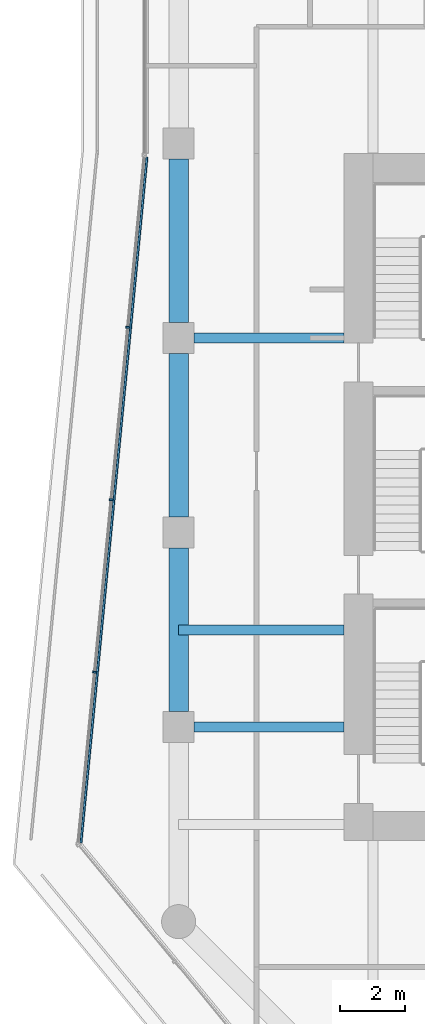
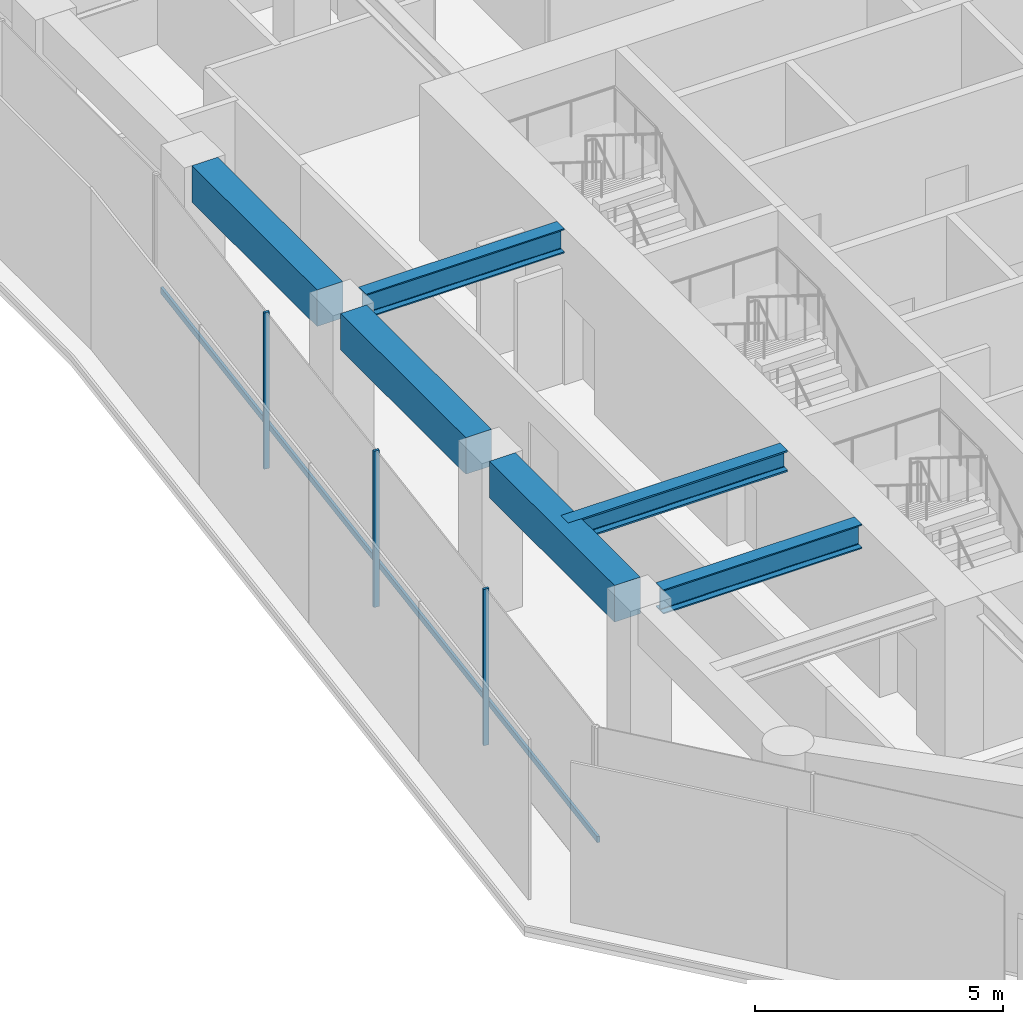
# One storey, part 4 of 31: 6 beams, 4 members, 1 element without a shape of its own.
"""IFC4 building model written with IfcOpenShell, lengths in metres."""

from ifc_helpers import new_model, si_unit, direction, frame, origin, origin_2d, place, context, subcontext, project, spatial, rectangle, i_section, extrude, material, layer, layer_set, material_profile, profile_set, type_object, element, aggregate, save


model = new_model("IFC4")

# Units and contexts
model_context = context("Model", 3, precision=1e-05, world=origin(), true_north=direction((0.0, 1.0)))
body_context = subcontext(model_context, "Body", "Model", "MODEL_VIEW")
ifc_project = project(units=[si_unit("LENGTHUNIT", "METRE"), si_unit("AREAUNIT", "SQUARE_METRE"), si_unit("VOLUMEUNIT", "CUBIC_METRE"), si_unit("PLANEANGLEUNIT", "RADIAN"), si_unit("MASSUNIT", "GRAM", prefix="KILO")], contexts=[model_context])

# Site, building, storey
site_placement = place(None, origin())
site = spatial("IfcSite", under=ifc_project, at=site_placement, CompositionType="ELEMENT")
building_placement = place(site_placement, origin())
building = spatial("IfcBuilding", under=site, at=building_placement, Name="Welwitschia Terrace Campus", CompositionType="ELEMENT")
storey_placement = place(building_placement, frame((0.0, 0.0, 29.0)))
storey = spatial("IfcBuildingStorey", under=building, at=storey_placement, Name="L06", CompositionType="ELEMENT", Elevation=29.0)

# Beam
ifc_material_1 = material(Name="Steel S355", Category="steel")
ifc_material_profile_1 = material_profile(ifc_material_1, i_section(OverallWidth=0.305908203125, OverallDepth=0.52392578125, WebThickness=0.02099609375, FlangeThickness=0.0400390625, FilletRadius=0.027099609375, at=origin_2d()))
ifc_profile_set_1 = profile_set([ifc_material_profile_1], Name="Steel S355")
beam_type_1 = type_object("IfcBeamType", Name="Interior girder HE 500 M", PredefinedType="BEAM", material=ifc_profile_set_1)
beam_placement = place(storey_placement, frame((-0.010009765625, 11.0, 3.587890625), z_axis=(1.0, 0.0, 0.0), x_axis=(0.0, 1.0, 0.0)))
element("IfcBeam", 1, at=beam_placement, inside=storey, type_object=beam_type_1, Name="Girder GB2", PredefinedType="BEAM", context=body_context, shape_type="SweptSolid", body=[
    extrude(i_section(OverallWidth=0.305908203125, OverallDepth=0.52392578125, WebThickness=0.02099609375, FlangeThickness=0.0400390625, FilletRadius=0.027099609375, at=origin_2d()), origin(), (0.0, 0.0, 1.0), 5.109130859375),
])

# Curtain wall, members
ifc_material_2 = material(Name="Bronze anodised aluminium", Category="aluminium")
ifc_layer = layer(ifc_material_2, 0.1201171875)
ifc_layer_set = layer_set([ifc_layer], Name="Bronze anodised aluminium")
curtain_wall_type = type_object("IfcCurtainWallType", Name="Curtain wall CW2 tower 6000", PredefinedType="NOTDEFINED", material=ifc_layer_set)
curtain_wall_placement = place(storey_placement, origin())
curtain_wall = element("IfcCurtainWall", 2, at=curtain_wall_placement, inside=storey, type_object=curtain_wall_type, Name="CW L06.0.0", PredefinedType="NOTDEFINED")
ifc_material_3 = material(Name="Bronze anodised aluminium", Category="aluminium")
ifc_material_profile_2 = material_profile(ifc_material_3, rectangle(XDim=0.1201171875, YDim=0.06005859375, at=origin_2d()))
ifc_profile_set_2 = profile_set([ifc_material_profile_2], Name="Bronze anodised aluminium")
member_type_1 = type_object("IfcMemberType", Name="Mullion 60x120", PredefinedType="MULLION", material=ifc_profile_set_2)
member_1_placement = place(storey_placement, frame((-1.56982421875, 20.32958984375, 0.0), z_axis=(0.0, 0.0, 1.0), x_axis=(0.995396198367, -0.09584575252, 0.0)))
member_1 = element("IfcMember", 3, at=member_1_placement, type_object=member_type_1, Name="Mullion L06.0.0.1", PredefinedType="MULLION", context=body_context, shape_type="SweptSolid", body=[
    extrude(rectangle(XDim=0.1201171875, YDim=0.06005859375, at=origin_2d()), origin(), (0.0, 0.0, 1.0), 3.85009765625),
])
member_2_placement = place(storey_placement, frame((-2.081787109375, 15.013427734375, 0.0), z_axis=(0.0, 0.0, 1.0), x_axis=(0.995396198367, -0.09584575252, 0.0)))
member_2 = element("IfcMember", 4, at=member_2_placement, type_object=member_type_1, Name="Mullion L06.0.0.2", PredefinedType="MULLION", context=body_context, shape_type="SweptSolid", body=[
    extrude(rectangle(XDim=0.1201171875, YDim=0.06005859375, at=origin_2d()), origin(), (0.0, 0.0, 1.0), 3.85009765625),
])
member_3_placement = place(storey_placement, frame((-2.59375, 9.697509765625, 0.0), z_axis=(0.0, 0.0, 1.0), x_axis=(0.995396198367, -0.09584575252, 0.0)))
member_3 = element("IfcMember", 5, at=member_3_placement, type_object=member_type_1, Name="Mullion L06.0.0.3", PredefinedType="MULLION", context=body_context, shape_type="SweptSolid", body=[
    extrude(rectangle(XDim=0.1201171875, YDim=0.06005859375, at=origin_2d()), origin(), (0.0, 0.0, 1.0), 3.85009765625),
])

# Beams
ifc_material_4 = material(Name="Steel S355", Category="steel")
ifc_material_profile_3 = material_profile(ifc_material_4, i_section(OverallWidth=0.300048828125, OverallDepth=0.60009765625, WebThickness=0.015380859375, FlangeThickness=0.030029296875, FilletRadius=0.027099609375, at=origin_2d()))
ifc_profile_set_3 = profile_set([ifc_material_profile_3], Name="Steel S355")
beam_type_2 = type_object("IfcBeamType", Name="Primary beam HE 600 B", PredefinedType="BEAM", material=ifc_profile_set_3)
for number, where, z_axis, x_axis, name in (
    (6, (0.4755859375, 20.0, 3.550048828125), (1.0, 0.0, 0.0), (0.0, 1.0, 0.0), "Primary beam PB2"),
    (7, (0.4755859375, 8.0, 3.550048828125), (1.0, 0.0, 0.0), (0.0, 1.0, 0.0), "Primary beam PB2"),
):
    element("IfcBeam", number, at=place(storey_placement, frame(where, z_axis=z_axis, x_axis=x_axis)), inside=storey, type_object=beam_type_2, Name=name, PredefinedType="BEAM", context=body_context, shape_type="SweptSolid", body=[
        extrude(i_section(OverallWidth=0.300048828125, OverallDepth=0.60009765625, WebThickness=0.015380859375, FlangeThickness=0.030029296875, FilletRadius=0.027099609375, at=origin_2d()), origin(), (0.0, 0.0, 1.0), 4.62451171875),
    ])
ifc_material_5 = material(Name="Concrete C60/75", Category="concrete")
ifc_material_profile_4 = material_profile(ifc_material_5, rectangle(XDim=0.60009765625, YDim=0.89990234375, at=origin_2d()))
ifc_profile_set_4 = profile_set([ifc_material_profile_4], Name="Concrete C60/75")
beam_type_3 = type_object("IfcBeamType", Name="Ring spandrel 600x900", PredefinedType="SPANDREL", material=ifc_profile_set_4)
for number, where, z_axis, x_axis, name in (
    (8, (0.0, 25.5244140625, 3.39990234375), (0.0, -1.0, 0.0), (1.0, 0.0, 0.0), "Spandrel SP2"),
    (9, (0.0, 19.5244140625, 3.39990234375), (0.0, -1.0, 0.0), (1.0, 0.0, 0.0), "Spandrel SP2"),
    (10, (0.0, 13.5244140625, 3.39990234375), (0.0, -1.0, 0.0), (1.0, 0.0, 0.0), "Spandrel SP2"),
):
    element("IfcBeam", number, at=place(storey_placement, frame(where, z_axis=z_axis, x_axis=x_axis)), inside=storey, type_object=beam_type_3, Name=name, PredefinedType="SPANDREL", context=body_context, shape_type="SweptSolid", body=[
        extrude(rectangle(XDim=0.60009765625, YDim=0.89990234375, at=origin_2d()), origin(), (0.0, 0.0, 1.0), 5.048828125),
    ])

# Member
ifc_material_6 = material(Name="Bronze anodised aluminium", Category="aluminium")
ifc_material_profile_5 = material_profile(ifc_material_6, rectangle(XDim=0.06005859375, YDim=0.14990234375, at=origin_2d()))
ifc_profile_set_5 = profile_set([ifc_material_profile_5], Name="Bronze anodised aluminium")
member_type_2 = type_object("IfcMemberType", Name="Transom 60x150", PredefinedType="USERDEFINED", material=ifc_profile_set_5)
member_4_placement = place(storey_placement, frame((-0.97412109375, 25.577392578125, 1.0), z_axis=(-0.095850370464, -0.995395753699, 0.0), x_axis=(0.995395753699, -0.095850370464, 0.0)))
member_4 = element("IfcMember", 11, at=member_4_placement, type_object=member_type_2, Name="Transom L06.0.0", ObjectType="TRANSOM", PredefinedType="USERDEFINED", context=body_context, shape_type="SweptSolid", body=[
    extrude(rectangle(XDim=0.06005859375, YDim=0.14990234375, at=origin_2d()), origin(), (0.0, 0.0, 1.0), 21.242919921875),
])

aggregate(curtain_wall, [member_1, member_2, member_3, member_4])

save(model, "model.ifc")
